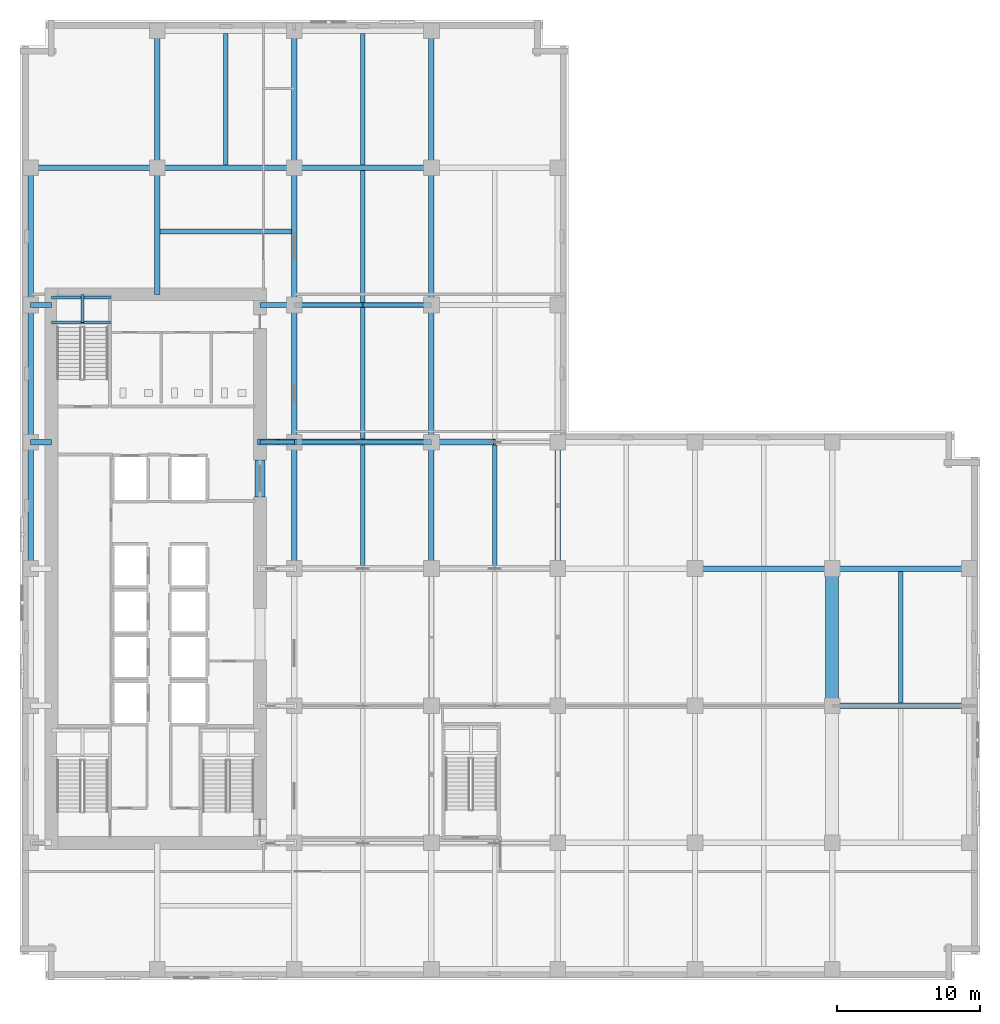
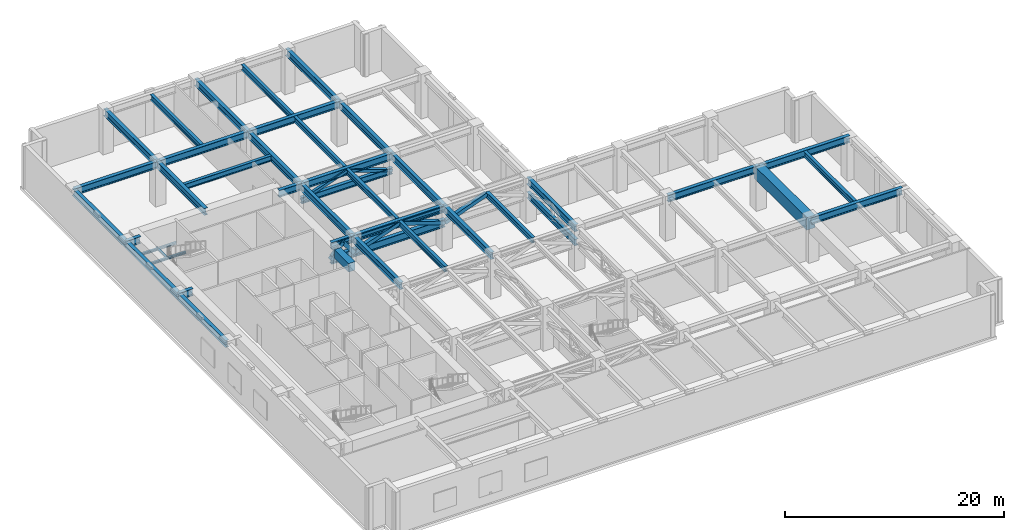
# One storey, part 7 of 22: 43 beams, 9 members.
"""IFC4 building model written with IfcOpenShell, lengths in metres."""

from ifc_helpers import new_model, si_unit, direction, frame, origin, origin_2d, place, context, subcontext, project, spatial, rectangle, hollow_rectangle, i_section, extrude, material, material_profile, profile_set, type_object, element, save


model = new_model("IFC4")

# Units and contexts
model_context = context("Model", 3, precision=1e-05, world=origin(), true_north=direction((0.0, 1.0)))
body_context = subcontext(model_context, "Body", "Model", "MODEL_VIEW")
ifc_project = project(units=[si_unit("LENGTHUNIT", "METRE"), si_unit("AREAUNIT", "SQUARE_METRE"), si_unit("VOLUMEUNIT", "CUBIC_METRE"), si_unit("PLANEANGLEUNIT", "RADIAN"), si_unit("MASSUNIT", "GRAM", prefix="KILO")], contexts=[model_context])

# Site, building, storey
site_placement = place(None, origin())
site = spatial("IfcSite", under=ifc_project, at=site_placement, CompositionType="ELEMENT")
building_placement = place(site_placement, origin())
building = spatial("IfcBuilding", under=site, at=building_placement, Name="Norrvale University Quadrangle", CompositionType="ELEMENT")
storey_placement = place(building_placement, frame((0.0, 0.0, 96.39990234375)))
storey = spatial("IfcBuildingStorey", under=building, at=storey_placement, Name="L24", CompositionType="ELEMENT", Elevation=96.39990234375)

# Beams
ifc_material_1 = material(Name="Steel 350W", Category="steel")
ifc_material_profile_1 = material_profile(ifc_material_1, i_section(OverallWidth=0.324951171875, OverallDepth=0.615966796875, WebThickness=0.013916015625, FlangeThickness=0.021484375, FilletRadius=0.01611328125, at=origin_2d()), Name="Steel 350W")
ifc_profile_set_1 = profile_set([ifc_material_profile_1], Name="Steel 350W")
beam_type_1 = type_object("IfcBeamType", Name="Beam Belt W610x174", PredefinedType="BEAM", material=ifc_profile_set_1)
beam_1_placement = place(storey_placement, frame((14.39990234375, 57.04052734375, 4.43212890625), z_axis=(0.0, 1.0, 0.0), x_axis=(-1.0, 0.0, 0.0)))
element("IfcBeam", 1, at=beam_1_placement, inside=storey, type_object=beam_type_1, Name="Beam Belt W610x174 BM-L24-J077", PredefinedType="BEAM", context=body_context, shape_type="SweptSolid", body=[
    extrude(i_section(OverallWidth=0.324951171875, OverallDepth=0.615966796875, WebThickness=0.013916015625, FlangeThickness=0.021484375, FilletRadius=0.01611328125, at=origin_2d()), origin(), (0.0, 0.0, 1.0), 9.218994140625),
])
beam_2_placement = place(storey_placement, frame((24.0, 28.990478515625, 4.43212890625), z_axis=(0.0, 1.0, 0.0), x_axis=(-1.0, 0.0, 0.0)))
element("IfcBeam", 2, at=beam_2_placement, inside=storey, type_object=beam_type_1, Name="Beam Belt W610x174 BM-L24-J081", PredefinedType="BEAM", context=body_context, shape_type="SweptSolid", body=[
    extrude(i_section(OverallWidth=0.324951171875, OverallDepth=0.615966796875, WebThickness=0.013916015625, FlangeThickness=0.021484375, FilletRadius=0.01611328125, at=origin_2d()), origin(), (0.0, 0.0, 1.0), 8.468994140625),
])
for number, where, z_axis, x_axis, name in (
    (3, (24.0, 37.840576171875, 4.43212890625), (0.0, 1.0, 0.0), (-1.0, 0.0, 0.0), "Beam Belt W610x174 BM-L24-J082"),
    (4, (24.0, 47.4404296875, 4.43212890625), (0.0, 1.0, 0.0), (-1.0, 0.0, 0.0), "Beam Belt W610x174 BM-L24-J083"),
    (5, (24.0, 57.04052734375, 4.43212890625), (0.0, 1.0, 0.0), (-1.0, 0.0, 0.0), "Beam Belt W610x174 BM-L24-J084"),
):
    element("IfcBeam", number, at=place(storey_placement, frame(where, z_axis=z_axis, x_axis=x_axis)), inside=storey, type_object=beam_type_1, Name=name, PredefinedType="BEAM", context=body_context, shape_type="SweptSolid", body=[
        extrude(i_section(OverallWidth=0.324951171875, OverallDepth=0.615966796875, WebThickness=0.013916015625, FlangeThickness=0.021484375, FilletRadius=0.01611328125, at=origin_2d()), origin(), (0.0, 0.0, 1.0), 9.218994140625),
    ])
beam_3_placement = place(storey_placement, frame((33.22509765625, 28.990478515625, 4.43212890625), z_axis=(0.0, 1.0, 0.0), x_axis=(-1.0, 0.0, 0.0)))
element("IfcBeam", 6, at=beam_3_placement, inside=storey, type_object=beam_type_1, Name="Beam Belt W610x174 BM-L24-J087", PredefinedType="BEAM", context=body_context, shape_type="SweptSolid", body=[
    extrude(i_section(OverallWidth=0.324951171875, OverallDepth=0.615966796875, WebThickness=0.013916015625, FlangeThickness=0.021484375, FilletRadius=0.01611328125, at=origin_2d()), origin(), (0.0, 0.0, 1.0), 8.468994140625),
])
beam_4_placement = place(storey_placement, frame((61.64990234375, 19.390380859375, 4.39208984375), z_axis=(0.0, 1.0, 0.0), x_axis=(-1.0, 0.0, 0.0)))
element("IfcBeam", 7, at=beam_4_placement, inside=storey, type_object=beam_type_1, Name="Beam Belt W610x174 BM-L24-J099", PredefinedType="BEAM", context=body_context, shape_type="SweptSolid", body=[
    extrude(i_section(OverallWidth=0.324951171875, OverallDepth=0.615966796875, WebThickness=0.013916015625, FlangeThickness=0.021484375, FilletRadius=0.01611328125, at=origin_2d()), origin(), (0.0, 0.0, 1.0), 9.21923828125),
])
beam_5_placement = place(storey_placement, frame((9.79052734375, 52.39990234375, 4.43212890625), z_axis=(1.0, 0.0, 0.0), x_axis=(0.0, 1.0, 0.0)))
element("IfcBeam", 8, at=beam_5_placement, inside=storey, type_object=beam_type_1, Name="Beam Belt W610x174 BM-L24-JCN103", PredefinedType="BEAM", context=body_context, shape_type="SweptSolid", body=[
    extrude(i_section(OverallWidth=0.324951171875, OverallDepth=0.615966796875, WebThickness=0.013916015625, FlangeThickness=0.021484375, FilletRadius=0.01611328125, at=origin_2d()), origin(), (0.0, 0.0, 1.0), 9.218994140625),
])
ifc_material_profile_2 = material_profile(ifc_material_1, i_section(OverallWidth=0.35498046875, OverallDepth=0.695068359375, WebThickness=0.015380859375, FlangeThickness=0.02490234375, FilletRadius=0.01806640625, at=origin_2d()), Name="Steel 350W")
ifc_profile_set_2 = profile_set([ifc_material_profile_2], Name="Steel 350W")
beam_type_2 = type_object("IfcBeamType", Name="Beam Belt W690x217", PredefinedType="BEAM", material=ifc_profile_set_2)
beam_6_placement = place(storey_placement, frame((37.64990234375, 28.800048828125, 2.75), z_axis=(0.0, 1.0, 0.0), x_axis=(-1.0, 0.0, 0.0)))
element("IfcBeam", 9, at=beam_6_placement, inside=storey, type_object=beam_type_2, Name="Belt Truss Chord L24-03", PredefinedType="BEAM", context=body_context, shape_type="SweptSolid", body=[
    extrude(i_section(OverallWidth=0.35498046875, OverallDepth=0.695068359375, WebThickness=0.015380859375, FlangeThickness=0.02490234375, FilletRadius=0.01806640625, at=origin_2d()), origin(), (0.0, 0.0, 1.0), 8.849853515625),
])
beam_7_placement = place(storey_placement, frame((19.199951171875, 47.25, 2.75), z_axis=(1.0, 0.0, 0.0), x_axis=(0.0, 1.0, 0.0)))
element("IfcBeam", 10, at=beam_7_placement, inside=storey, type_object=beam_type_2, Name="Belt Truss Chord L24-06", PredefinedType="BEAM", context=body_context, shape_type="SweptSolid", body=[
    extrude(i_section(OverallWidth=0.35498046875, OverallDepth=0.695068359375, WebThickness=0.015380859375, FlangeThickness=0.02490234375, FilletRadius=0.01806640625, at=origin_2d()), origin(), (0.0, 0.0, 1.0), 9.60009765625),
])
ifc_material_2 = material(Name="Concrete C80/95", Category="concrete")
ifc_material_profile_3 = material_profile(ifc_material_2, rectangle(XDim=0.699951171875, YDim=0.949951171875, at=origin_2d()), Name="Concrete C80/95")
ifc_profile_set_3 = profile_set([ifc_material_profile_3], Name="Concrete C80/95")
beam_type_3 = type_object("IfcBeamType", Name="Beam Core Link 700x950", PredefinedType="LINTEL", material=ifc_profile_set_3)
beam_8_placement = place(storey_placement, frame((16.800048828125, 33.800048828125, 4.26513671875), z_axis=(0.0, 1.0, 0.0), x_axis=(-1.0, 0.0, 0.0)))
element("IfcBeam", 11, at=beam_8_placement, inside=storey, type_object=beam_type_3, Name="Core Coupling Lintel Beam L24-2", PredefinedType="LINTEL", context=body_context, shape_type="SweptSolid", body=[
    extrude(rectangle(XDim=0.699951171875, YDim=0.949951171875, at=origin_2d()), origin(), (0.0, 0.0, 1.0), 2.599853515625),
])
ifc_material_profile_4 = material_profile(ifc_material_1, i_section(OverallWidth=0.381103515625, OverallDepth=0.77294921875, WebThickness=0.0166015625, FlangeThickness=0.027587890625, FilletRadius=0.02001953125, at=origin_2d()), Name="Steel 350W")
ifc_profile_set_4 = profile_set([ifc_material_profile_4], Name="Steel 350W")
beam_type_4 = type_object("IfcBeamType", Name="Beam Outrig W760x257", PredefinedType="BEAM", material=ifc_profile_set_4)
beam_9_placement = place(storey_placement, frame((56.85009765625, 19.199951171875, 4.3134765625), z_axis=(1.0, 0.0, 0.0), x_axis=(0.0, 1.0, 0.0)))
element("IfcBeam", 12, at=beam_9_placement, inside=storey, type_object=beam_type_4, Name="Beam Outrig W760x257 BM-L24-GX015", PredefinedType="BEAM", context=body_context, shape_type="SweptSolid", body=[
    extrude(i_section(OverallWidth=0.381103515625, OverallDepth=0.77294921875, WebThickness=0.0166015625, FlangeThickness=0.027587890625, FilletRadius=0.02001953125, at=origin_2d()), origin(), (0.0, 0.0, 1.0), 9.599853515625),
])
beam_10_placement = place(storey_placement, frame((47.25, 28.800048828125, 4.353515625), z_axis=(1.0, 0.0, 0.0), x_axis=(0.0, 1.0, 0.0)))
element("IfcBeam", 13, at=beam_10_placement, inside=storey, type_object=beam_type_4, Name="Beam Outrig W760x257 BM-L24-GX019", PredefinedType="BEAM", context=body_context, shape_type="SweptSolid", body=[
    extrude(i_section(OverallWidth=0.381103515625, OverallDepth=0.77294921875, WebThickness=0.0166015625, FlangeThickness=0.027587890625, FilletRadius=0.02001953125, at=origin_2d()), origin(), (0.0, 0.0, 1.0), 9.60009765625),
])
beam_11_placement = place(storey_placement, frame((56.85009765625, 28.800048828125, 4.3134765625), z_axis=(1.0, 0.0, 0.0), x_axis=(0.0, 1.0, 0.0)))
element("IfcBeam", 14, at=beam_11_placement, inside=storey, type_object=beam_type_4, Name="Beam Outrig W760x257 BM-L24-GX020", PredefinedType="BEAM", context=body_context, shape_type="SweptSolid", body=[
    extrude(i_section(OverallWidth=0.381103515625, OverallDepth=0.77294921875, WebThickness=0.0166015625, FlangeThickness=0.027587890625, FilletRadius=0.02001953125, at=origin_2d()), origin(), (0.0, 0.0, 1.0), 9.599853515625),
])
for number, where, z_axis, x_axis, name in (
    (15, (19.199951171875, 37.64990234375, 4.353515625), (1.0, 0.0, 0.0), (0.0, 1.0, 0.0), "Beam Outrig W760x257 BM-L24-GX021"),
    (16, (19.199951171875, 47.25, 4.353515625), (1.0, 0.0, 0.0), (0.0, 1.0, 0.0), "Beam Outrig W760x257 BM-L24-GX025"),
):
    element("IfcBeam", number, at=place(storey_placement, frame(where, z_axis=z_axis, x_axis=x_axis)), inside=storey, type_object=beam_type_4, Name=name, PredefinedType="BEAM", context=body_context, shape_type="SweptSolid", body=[
        extrude(i_section(OverallWidth=0.381103515625, OverallDepth=0.77294921875, WebThickness=0.0166015625, FlangeThickness=0.027587890625, FilletRadius=0.02001953125, at=origin_2d()), origin(), (0.0, 0.0, 1.0), 9.60009765625),
    ])
beam_12_placement = place(storey_placement, frame((0.75, 56.85009765625, 4.353515625), z_axis=(1.0, 0.0, 0.0), x_axis=(0.0, 1.0, 0.0)))
element("IfcBeam", 17, at=beam_12_placement, inside=storey, type_object=beam_type_4, Name="Beam Outrig W760x257 BM-L24-GX027", PredefinedType="BEAM", context=body_context, shape_type="SweptSolid", body=[
    extrude(i_section(OverallWidth=0.381103515625, OverallDepth=0.77294921875, WebThickness=0.0166015625, FlangeThickness=0.027587890625, FilletRadius=0.02001953125, at=origin_2d()), origin(), (0.0, 0.0, 1.0), 8.85009765625),
])
beam_13_placement = place(storey_placement, frame((9.60009765625, 56.85009765625, 4.353515625), z_axis=(1.0, 0.0, 0.0), x_axis=(0.0, 1.0, 0.0)))
element("IfcBeam", 18, at=beam_13_placement, inside=storey, type_object=beam_type_4, Name="Beam Outrig W760x257 BM-L24-GX028", PredefinedType="BEAM", context=body_context, shape_type="SweptSolid", body=[
    extrude(i_section(OverallWidth=0.381103515625, OverallDepth=0.77294921875, WebThickness=0.0166015625, FlangeThickness=0.027587890625, FilletRadius=0.02001953125, at=origin_2d()), origin(), (0.0, 0.0, 1.0), 9.599853515625),
])
beam_14_placement = place(storey_placement, frame((19.199951171875, 56.85009765625, 4.353515625), z_axis=(1.0, 0.0, 0.0), x_axis=(0.0, 1.0, 0.0)))
element("IfcBeam", 19, at=beam_14_placement, inside=storey, type_object=beam_type_4, Name="Beam Outrig W760x257 BM-L24-GX029", PredefinedType="BEAM", context=body_context, shape_type="SweptSolid", body=[
    extrude(i_section(OverallWidth=0.381103515625, OverallDepth=0.77294921875, WebThickness=0.0166015625, FlangeThickness=0.027587890625, FilletRadius=0.02001953125, at=origin_2d()), origin(), (0.0, 0.0, 1.0), 9.60009765625),
])
beam_15_placement = place(storey_placement, frame((0.75, 28.800048828125, 4.353515625), z_axis=(0.0, 1.0, 0.0), x_axis=(-1.0, 0.0, 0.0)))
element("IfcBeam", 20, at=beam_15_placement, inside=storey, type_object=beam_type_4, Name="Beam Outrig W760x257 BM-L24-GY035", PredefinedType="BEAM", context=body_context, shape_type="SweptSolid", body=[
    extrude(i_section(OverallWidth=0.381103515625, OverallDepth=0.77294921875, WebThickness=0.0166015625, FlangeThickness=0.027587890625, FilletRadius=0.02001953125, at=origin_2d()), origin(), (0.0, 0.0, 1.0), 8.849853515625),
])
for number, where, z_axis, x_axis, name in (
    (21, (0.75, 37.64990234375, 4.353515625), (0.0, 1.0, 0.0), (-1.0, 0.0, 0.0), "Beam Outrig W760x257 BM-L24-GY036"),
    (22, (0.75, 47.25, 4.353515625), (0.0, 1.0, 0.0), (-1.0, 0.0, 0.0), "Beam Outrig W760x257 BM-L24-GY037"),
):
    element("IfcBeam", number, at=place(storey_placement, frame(where, z_axis=z_axis, x_axis=x_axis)), inside=storey, type_object=beam_type_4, Name=name, PredefinedType="BEAM", context=body_context, shape_type="SweptSolid", body=[
        extrude(i_section(OverallWidth=0.381103515625, OverallDepth=0.77294921875, WebThickness=0.0166015625, FlangeThickness=0.027587890625, FilletRadius=0.02001953125, at=origin_2d()), origin(), (0.0, 0.0, 1.0), 9.60009765625),
    ])
beam_16_placement = place(storey_placement, frame((9.60009765625, 56.85009765625, 4.353515625), z_axis=(0.0, 1.0, 0.0), x_axis=(-1.0, 0.0, 0.0)))
element("IfcBeam", 23, at=beam_16_placement, inside=storey, type_object=beam_type_4, Name="Beam Outrig W760x257 BM-L24-GY038", PredefinedType="BEAM", context=body_context, shape_type="SweptSolid", body=[
    extrude(i_section(OverallWidth=0.381103515625, OverallDepth=0.77294921875, WebThickness=0.0166015625, FlangeThickness=0.027587890625, FilletRadius=0.02001953125, at=origin_2d()), origin(), (0.0, 0.0, 1.0), 9.599853515625),
])
beam_17_placement = place(storey_placement, frame((19.199951171875, 28.800048828125, 4.353515625), z_axis=(0.0, 1.0, 0.0), x_axis=(-1.0, 0.0, 0.0)))
element("IfcBeam", 24, at=beam_17_placement, inside=storey, type_object=beam_type_4, Name="Beam Outrig W760x257 BM-L24-GY042", PredefinedType="BEAM", context=body_context, shape_type="SweptSolid", body=[
    extrude(i_section(OverallWidth=0.381103515625, OverallDepth=0.77294921875, WebThickness=0.0166015625, FlangeThickness=0.027587890625, FilletRadius=0.02001953125, at=origin_2d()), origin(), (0.0, 0.0, 1.0), 8.849853515625),
])
for number, where, z_axis, x_axis, name in (
    (25, (19.199951171875, 37.64990234375, 4.353515625), (0.0, 1.0, 0.0), (-1.0, 0.0, 0.0), "Beam Outrig W760x257 BM-L24-GY043"),
    (26, (19.199951171875, 47.25, 4.353515625), (0.0, 1.0, 0.0), (-1.0, 0.0, 0.0), "Beam Outrig W760x257 BM-L24-GY044"),
):
    element("IfcBeam", number, at=place(storey_placement, frame(where, z_axis=z_axis, x_axis=x_axis)), inside=storey, type_object=beam_type_4, Name=name, PredefinedType="BEAM", context=body_context, shape_type="SweptSolid", body=[
        extrude(i_section(OverallWidth=0.381103515625, OverallDepth=0.77294921875, WebThickness=0.0166015625, FlangeThickness=0.027587890625, FilletRadius=0.02001953125, at=origin_2d()), origin(), (0.0, 0.0, 1.0), 9.60009765625),
    ])
beam_18_placement = place(storey_placement, frame((19.199951171875, 56.85009765625, 4.353515625), z_axis=(0.0, 1.0, 0.0), x_axis=(-1.0, 0.0, 0.0)))
element("IfcBeam", 27, at=beam_18_placement, inside=storey, type_object=beam_type_4, Name="Beam Outrig W760x257 BM-L24-GY045", PredefinedType="BEAM", context=body_context, shape_type="SweptSolid", body=[
    extrude(i_section(OverallWidth=0.381103515625, OverallDepth=0.77294921875, WebThickness=0.0166015625, FlangeThickness=0.027587890625, FilletRadius=0.02001953125, at=origin_2d()), origin(), (0.0, 0.0, 1.0), 9.599853515625),
])
beam_19_placement = place(storey_placement, frame((28.800048828125, 28.800048828125, 4.353515625), z_axis=(0.0, 1.0, 0.0), x_axis=(-1.0, 0.0, 0.0)))
element("IfcBeam", 28, at=beam_19_placement, inside=storey, type_object=beam_type_4, Name="Beam Outrig W760x257 BM-L24-GY049", PredefinedType="BEAM", context=body_context, shape_type="SweptSolid", body=[
    extrude(i_section(OverallWidth=0.381103515625, OverallDepth=0.77294921875, WebThickness=0.0166015625, FlangeThickness=0.027587890625, FilletRadius=0.02001953125, at=origin_2d()), origin(), (0.0, 0.0, 1.0), 8.849853515625),
])
for number, where, z_axis, x_axis, name in (
    (29, (28.800048828125, 37.64990234375, 4.353515625), (0.0, 1.0, 0.0), (-1.0, 0.0, 0.0), "Beam Outrig W760x257 BM-L24-GY050"),
    (30, (28.800048828125, 47.25, 4.353515625), (0.0, 1.0, 0.0), (-1.0, 0.0, 0.0), "Beam Outrig W760x257 BM-L24-GY051"),
):
    element("IfcBeam", number, at=place(storey_placement, frame(where, z_axis=z_axis, x_axis=x_axis)), inside=storey, type_object=beam_type_4, Name=name, PredefinedType="BEAM", context=body_context, shape_type="SweptSolid", body=[
        extrude(i_section(OverallWidth=0.381103515625, OverallDepth=0.77294921875, WebThickness=0.0166015625, FlangeThickness=0.027587890625, FilletRadius=0.02001953125, at=origin_2d()), origin(), (0.0, 0.0, 1.0), 9.60009765625),
    ])
beam_20_placement = place(storey_placement, frame((28.800048828125, 56.85009765625, 4.353515625), z_axis=(0.0, 1.0, 0.0), x_axis=(-1.0, 0.0, 0.0)))
element("IfcBeam", 31, at=beam_20_placement, inside=storey, type_object=beam_type_4, Name="Beam Outrig W760x257 BM-L24-GY052", PredefinedType="BEAM", context=body_context, shape_type="SweptSolid", body=[
    extrude(i_section(OverallWidth=0.381103515625, OverallDepth=0.77294921875, WebThickness=0.0166015625, FlangeThickness=0.027587890625, FilletRadius=0.02001953125, at=origin_2d()), origin(), (0.0, 0.0, 1.0), 9.599853515625),
])
beam_21_placement = place(storey_placement, frame((37.64990234375, 28.800048828125, 4.353515625), z_axis=(0.0, 1.0, 0.0), x_axis=(-1.0, 0.0, 0.0)))
element("IfcBeam", 32, at=beam_21_placement, inside=storey, type_object=beam_type_4, Name="Beam Outrig W760x257 BM-L24-GY056", PredefinedType="BEAM", context=body_context, shape_type="SweptSolid", body=[
    extrude(i_section(OverallWidth=0.381103515625, OverallDepth=0.77294921875, WebThickness=0.0166015625, FlangeThickness=0.027587890625, FilletRadius=0.02001953125, at=origin_2d()), origin(), (0.0, 0.0, 1.0), 8.849853515625),
])
beam_22_placement = place(storey_placement, frame((0.75, 37.64990234375, 4.353515625), z_axis=(1.0, 0.0, 0.0), x_axis=(0.0, 1.0, 0.0)))
element("IfcBeam", 33, at=beam_22_placement, inside=storey, type_object=beam_type_4, Name="Beam Outrig W760x257 BM-L24-GCW073", PredefinedType="BEAM", context=body_context, shape_type="SweptSolid", body=[
    extrude(i_section(OverallWidth=0.381103515625, OverallDepth=0.77294921875, WebThickness=0.0166015625, FlangeThickness=0.027587890625, FilletRadius=0.02001953125, at=origin_2d()), origin(), (0.0, 0.0, 1.0), 1.449951171875),
])
beam_23_placement = place(storey_placement, frame((16.800048828125, 37.64990234375, 4.353515625), z_axis=(1.0, 0.0, 0.0), x_axis=(0.0, 1.0, 0.0)))
element("IfcBeam", 34, at=beam_23_placement, inside=storey, type_object=beam_type_4, Name="Beam Outrig W760x257 BM-L24-GCE074", PredefinedType="BEAM", context=body_context, shape_type="SweptSolid", body=[
    extrude(i_section(OverallWidth=0.381103515625, OverallDepth=0.77294921875, WebThickness=0.0166015625, FlangeThickness=0.027587890625, FilletRadius=0.02001953125, at=origin_2d()), origin(), (0.0, 0.0, 1.0), 2.39990234375),
])
beam_24_placement = place(storey_placement, frame((0.75, 47.25, 4.353515625), z_axis=(1.0, 0.0, 0.0), x_axis=(0.0, 1.0, 0.0)))
element("IfcBeam", 35, at=beam_24_placement, inside=storey, type_object=beam_type_4, Name="Beam Outrig W760x257 BM-L24-GCW075", PredefinedType="BEAM", context=body_context, shape_type="SweptSolid", body=[
    extrude(i_section(OverallWidth=0.381103515625, OverallDepth=0.77294921875, WebThickness=0.0166015625, FlangeThickness=0.027587890625, FilletRadius=0.02001953125, at=origin_2d()), origin(), (0.0, 0.0, 1.0), 1.449951171875),
])
beam_25_placement = place(storey_placement, frame((16.800048828125, 47.25, 4.353515625), z_axis=(1.0, 0.0, 0.0), x_axis=(0.0, 1.0, 0.0)))
element("IfcBeam", 36, at=beam_25_placement, inside=storey, type_object=beam_type_4, Name="Beam Outrig W760x257 BM-L24-GCE076", PredefinedType="BEAM", context=body_context, shape_type="SweptSolid", body=[
    extrude(i_section(OverallWidth=0.381103515625, OverallDepth=0.77294921875, WebThickness=0.0166015625, FlangeThickness=0.027587890625, FilletRadius=0.02001953125, at=origin_2d()), origin(), (0.0, 0.0, 1.0), 2.39990234375),
])
beam_26_placement = place(storey_placement, frame((9.60009765625, 48.0, 4.353515625), z_axis=(0.0, 1.0, 0.0), x_axis=(-1.0, 0.0, 0.0)))
element("IfcBeam", 37, at=beam_26_placement, inside=storey, type_object=beam_type_4, Name="Beam Outrig W760x257 BM-L24-GCN102", PredefinedType="BEAM", context=body_context, shape_type="SweptSolid", body=[
    extrude(i_section(OverallWidth=0.381103515625, OverallDepth=0.77294921875, WebThickness=0.0166015625, FlangeThickness=0.027587890625, FilletRadius=0.02001953125, at=origin_2d()), origin(), (0.0, 0.0, 1.0), 8.85009765625),
])
ifc_material_profile_5 = material_profile(ifc_material_1, i_section(OverallWidth=0.39990234375, OverallDepth=0.85498046875, WebThickness=0.018310546875, FlangeThickness=0.029296875, FilletRadius=0.02197265625, at=origin_2d()), Name="Steel 350W")
ifc_profile_set_5 = profile_set([ifc_material_profile_5], Name="Steel 350W")
beam_type_5 = type_object("IfcBeamType", Name="Beam Outrig W840x299", PredefinedType="BEAM", material=ifc_profile_set_5)
beam_27_placement = place(storey_placement, frame((16.800048828125, 37.64990234375, 2.75), z_axis=(1.0, 0.0, 0.0), x_axis=(0.0, 1.0, 0.0)))
element("IfcBeam", 38, at=beam_27_placement, inside=storey, type_object=beam_type_5, Name="Outrigger Bottom Chord L24-4.1", PredefinedType="BEAM", context=body_context, shape_type="SweptSolid", body=[
    extrude(i_section(OverallWidth=0.39990234375, OverallDepth=0.85498046875, WebThickness=0.018310546875, FlangeThickness=0.029296875, FilletRadius=0.02197265625, at=origin_2d()), origin(), (0.0, 0.0, 1.0), 2.39990234375),
])
beam_28_placement = place(storey_placement, frame((19.199951171875, 37.64990234375, 2.75), z_axis=(1.0, 0.0, 0.0), x_axis=(0.0, 1.0, 0.0)))
element("IfcBeam", 39, at=beam_28_placement, inside=storey, type_object=beam_type_5, Name="Outrigger Bottom Chord L24-4.2", PredefinedType="BEAM", context=body_context, shape_type="SweptSolid", body=[
    extrude(i_section(OverallWidth=0.39990234375, OverallDepth=0.85498046875, WebThickness=0.018310546875, FlangeThickness=0.029296875, FilletRadius=0.02197265625, at=origin_2d()), origin(), (0.0, 0.0, 1.0), 9.60009765625),
])
ifc_material_profile_6 = material_profile(ifc_material_1, i_section(OverallWidth=0.201904296875, OverallDepth=0.2470703125, WebThickness=0.00732421875, FlangeThickness=0.010986328125, FilletRadius=0.011962890625, at=origin_2d()), Name="Steel 350W")
ifc_profile_set_6 = profile_set([ifc_material_profile_6], Name="Steel 350W")
beam_type_6 = type_object("IfcBeamType", Name="Beam Stair W250x49", PredefinedType="BEAM", material=ifc_profile_set_6)
for number, where, z_axis, x_axis, name in (
    (40, (2.199951171875, 46.030029296875, 2.176513671875), (1.0, 0.0, 0.0), (0.0, 1.0, 0.0), "Stair Mid-Landing Front Beam ST-02 L24"),
    (41, (2.199951171875, 47.77001953125, 2.176513671875), (1.0, 0.0, 0.0), (0.0, 1.0, 0.0), "Stair Mid-Landing Rear Beam ST-02 L24"),
):
    element("IfcBeam", number, at=place(storey_placement, frame(where, z_axis=z_axis, x_axis=x_axis)), inside=storey, type_object=beam_type_6, Name=name, PredefinedType="BEAM", context=body_context, shape_type="SweptSolid", body=[
        extrude(i_section(OverallWidth=0.201904296875, OverallDepth=0.2470703125, WebThickness=0.00732421875, FlangeThickness=0.010986328125, FilletRadius=0.011962890625, at=origin_2d()), origin(), (0.0, 0.0, 1.0), 4.14013671875),
    ])
ifc_material_3 = material(Name="Concrete C60/75", Category="concrete")
ifc_material_profile_7 = material_profile(ifc_material_3, rectangle(XDim=0.89990234375, YDim=1.39990234375, at=origin_2d()), Name="Concrete C60/75")
ifc_profile_set_7 = profile_set([ifc_material_profile_7], Name="Concrete C60/75")
beam_type_7 = type_object("IfcBeamType", Name="Beam Transfer 900x1400", PredefinedType="USERDEFINED", material=ifc_profile_set_7)
beam_29_placement = place(storey_placement, frame((56.85009765625, 19.199951171875, 4.0400390625), z_axis=(0.0, 1.0, 0.0), x_axis=(-1.0, 0.0, 0.0)))
element("IfcBeam", 42, at=beam_29_placement, inside=storey, type_object=beam_type_7, Name="Setback Transfer Girder L24-20", ObjectType="TRANSFER GIRDER", PredefinedType="USERDEFINED", context=body_context, shape_type="SweptSolid", body=[
    extrude(rectangle(XDim=0.89990234375, YDim=1.39990234375, at=origin_2d()), origin(), (0.0, 0.0, 1.0), 9.60009765625),
])
ifc_material_profile_8 = material_profile(ifc_material_1, i_section(OverallWidth=0.202880859375, OverallDepth=0.202880859375, WebThickness=0.007080078125, FlangeThickness=0.010986328125, FilletRadius=0.010009765625, at=origin_2d()), Name="Steel 350W")
ifc_profile_set_8 = profile_set([ifc_material_profile_8], Name="Steel 350W")
beam_type_8 = type_object("IfcBeamType", Name="Beam Trim W200x46", PredefinedType="BEAM", material=ifc_profile_set_8)
beam_30_placement = place(storey_placement, frame((4.375, 46.030029296875, 2.198486328125), z_axis=(0.0, 1.0, 0.0), x_axis=(-1.0, 0.0, 0.0)))
element("IfcBeam", 43, at=beam_30_placement, inside=storey, type_object=beam_type_8, Name="Stair Mid-Landing Cross Beam ST-02 L24", PredefinedType="BEAM", context=body_context, shape_type="SweptSolid", body=[
    extrude(i_section(OverallWidth=0.202880859375, OverallDepth=0.202880859375, WebThickness=0.007080078125, FlangeThickness=0.010986328125, FilletRadius=0.010009765625, at=origin_2d()), origin(), (0.0, 0.0, 1.0), 1.969970703125),
])

# Members
ifc_material_profile_9 = material_profile(ifc_material_1, hollow_rectangle(XDim=0.304931640625, YDim=0.304931640625, WallThickness=0.012939453125, at=origin_2d()), Name="Steel 350W")
ifc_profile_set_9 = profile_set([ifc_material_profile_9], Name="Steel 350W")
member_type_1 = type_object("IfcMemberType", Name="Member Belt Diag HSS305", PredefinedType="BRACE", material=ifc_profile_set_9)
for number, where, z_axis, x_axis, name in (
    (44, (19.199951171875, 47.25, 2.75), (0.946283782562, 0.0, 0.323337289622), (0.0, 1.0, 0.0), "Belt Truss Brace L24-06A"),
    (45, (28.800048828125, 47.25, 2.75), (-0.946283782562, 0.0, 0.323337289622), (0.0, -1.0, 0.0), "Belt Truss Brace L24-06B"),
):
    element("IfcMember", number, at=place(storey_placement, frame(where, z_axis=z_axis, x_axis=x_axis)), inside=storey, type_object=member_type_1, Name=name, PredefinedType="BRACE", context=body_context, shape_type="SweptSolid", body=[
        extrude(hollow_rectangle(XDim=0.304931640625, YDim=0.304931640625, WallThickness=0.012939453125, at=origin_2d()), origin(), (0.0, 0.0, 1.0), 5.072509765625),
    ])
ifc_material_profile_10 = material_profile(ifc_material_1, hollow_rectangle(XDim=0.202880859375, YDim=0.304931640625, WallThickness=0.012939453125, at=origin_2d()), Name="Steel 350W")
ifc_profile_set_10 = profile_set([ifc_material_profile_10], Name="Steel 350W")
member_type_2 = type_object("IfcMemberType", Name="Member Chord HSS305x203", PredefinedType="CHORD", material=ifc_profile_set_10)
member_1_placement = place(storey_placement, frame((16.800048828125, 37.64990234375, 4.39013671875), z_axis=(1.0, 0.0, 0.0), x_axis=(0.0, 1.0, 0.0)))
element("IfcMember", 46, at=member_1_placement, inside=storey, type_object=member_type_2, Name="Outrigger Top Chord L24-4.1", PredefinedType="CHORD", context=body_context, shape_type="SweptSolid", body=[
    extrude(hollow_rectangle(XDim=0.202880859375, YDim=0.304931640625, WallThickness=0.012939453125, at=origin_2d()), origin(), (0.0, 0.0, 1.0), 2.39990234375),
])
member_2_placement = place(storey_placement, frame((19.199951171875, 37.64990234375, 4.39013671875), z_axis=(1.0, 0.0, 0.0), x_axis=(0.0, 1.0, 0.0)))
element("IfcMember", 47, at=member_2_placement, inside=storey, type_object=member_type_2, Name="Outrigger Top Chord L24-4.2", PredefinedType="CHORD", context=body_context, shape_type="SweptSolid", body=[
    extrude(hollow_rectangle(XDim=0.202880859375, YDim=0.304931640625, WallThickness=0.012939453125, at=origin_2d()), origin(), (0.0, 0.0, 1.0), 9.60009765625),
])
ifc_material_profile_11 = material_profile(ifc_material_1, hollow_rectangle(XDim=0.406005859375, YDim=0.406005859375, WallThickness=0.01611328125, at=origin_2d()), Name="Steel 350W")
ifc_profile_set_11 = profile_set([ifc_material_profile_11], Name="Steel 350W")
member_type_3 = type_object("IfcMemberType", Name="Member Outrig Diag HSS406", PredefinedType="BRACE", material=ifc_profile_set_11)
for number, where, z_axis, x_axis, name in (
    (48, (16.800048828125, 37.64990234375, 2.75), (0.590462283892, 0.0, 0.807065233609), (0.0, 1.0, 0.0), "Outrigger Truss Diagonal L24-4.1A"),
    (49, (19.199951171875, 37.64990234375, 2.75), (-0.590462283892, 0.0, 0.807065233609), (0.0, -1.0, 0.0), "Outrigger Truss Diagonal L24-4.1B"),
):
    element("IfcMember", number, at=place(storey_placement, frame(where, z_axis=z_axis, x_axis=x_axis)), inside=storey, type_object=member_type_3, Name=name, PredefinedType="BRACE", context=body_context, shape_type="SweptSolid", body=[
        extrude(hollow_rectangle(XDim=0.406005859375, YDim=0.406005859375, WallThickness=0.01611328125, at=origin_2d()), origin(), (0.0, 0.0, 1.0), 2.0322265625),
    ])
for number, where, z_axis, x_axis, name in (
    (50, (19.199951171875, 37.64990234375, 2.75), (0.946283782562, 0.0, 0.323337289622), (0.0, 1.0, 0.0), "Outrigger Truss Diagonal L24-4.2A"),
    (51, (28.800048828125, 37.64990234375, 2.75), (-0.946283782562, 0.0, 0.323337289622), (0.0, -1.0, 0.0), "Outrigger Truss Diagonal L24-4.2B"),
):
    element("IfcMember", number, at=place(storey_placement, frame(where, z_axis=z_axis, x_axis=x_axis)), inside=storey, type_object=member_type_3, Name=name, PredefinedType="BRACE", context=body_context, shape_type="SweptSolid", body=[
        extrude(hollow_rectangle(XDim=0.406005859375, YDim=0.406005859375, WallThickness=0.01611328125, at=origin_2d()), origin(), (0.0, 0.0, 1.0), 5.072509765625),
    ])
member_3_placement = place(storey_placement, frame((28.800048828125, 37.64990234375, 2.75), z_axis=(0.937663862855, 0.0, 0.347543494106), x_axis=(0.0, 1.0, 0.0)))
element("IfcMember", 52, at=member_3_placement, inside=storey, type_object=member_type_3, Name="Outrigger Truss Diagonal L24-4.3A", PredefinedType="BRACE", context=body_context, shape_type="SweptSolid", body=[
    extrude(hollow_rectangle(XDim=0.406005859375, YDim=0.406005859375, WallThickness=0.01611328125, at=origin_2d()), origin(), (0.0, 0.0, 1.0), 4.71923828125),
])

save(model, "model.ifc")
